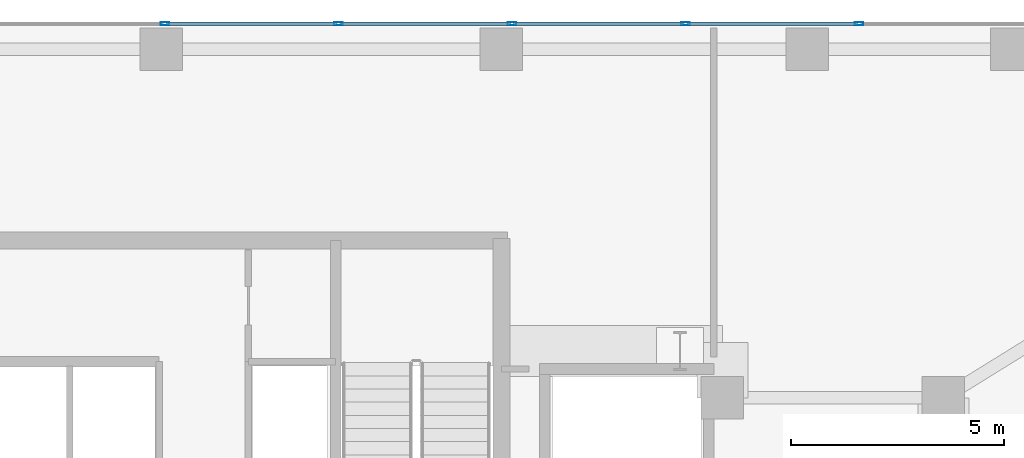
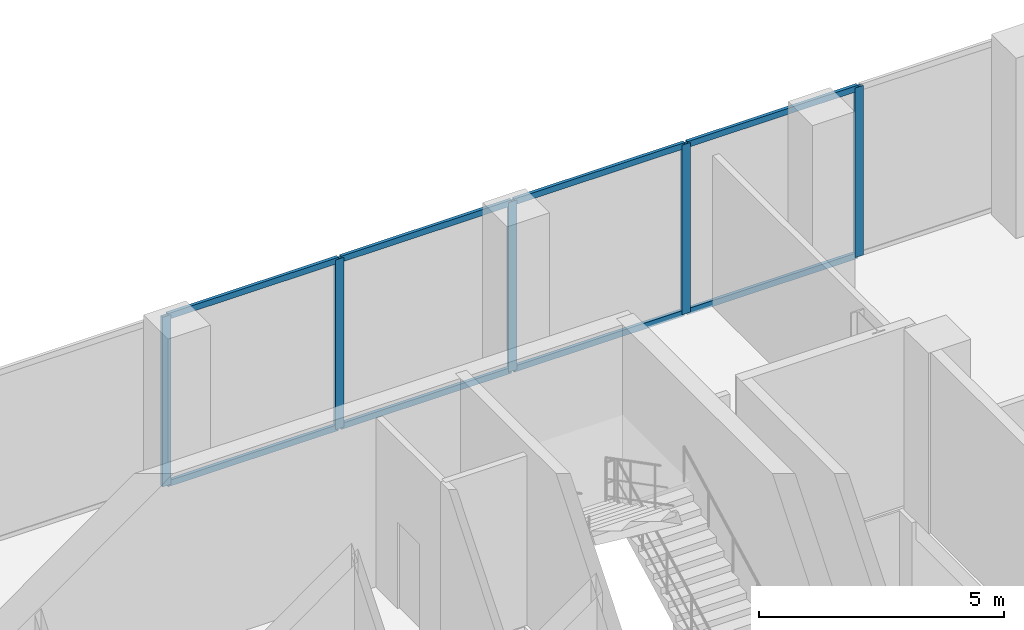
# One storey, part 19 of 24: 13 members, 1 element without a shape of its own.
"""IFC4 building model written with IfcOpenShell, lengths in metres."""

from ifc_helpers import new_model, si_unit, direction, frame, origin, origin_2d, place, context, subcontext, project, spatial, hollow_rectangle, extrude, material, layer, layer_set, material_profile, profile_set, type_object, element, aggregate, save


model = new_model("IFC4")

# Units and contexts
model_context = context("Model", 3, precision=1e-05, world=origin(), true_north=direction((0.0, 1.0)))
body_context = subcontext(model_context, "Body", "Model", "MODEL_VIEW")
ifc_project = project(units=[si_unit("LENGTHUNIT", "METRE"), si_unit("AREAUNIT", "SQUARE_METRE"), si_unit("VOLUMEUNIT", "CUBIC_METRE"), si_unit("PLANEANGLEUNIT", "RADIAN"), si_unit("MASSUNIT", "GRAM", prefix="KILO")], contexts=[model_context])

# Site, building, storey
site_placement = place(None, origin())
site = spatial("IfcSite", under=ifc_project, at=site_placement, CompositionType="ELEMENT")
building_placement = place(site_placement, origin())
building = spatial("IfcBuilding", under=site, at=building_placement, Name="Catumbela Crestline Tower", CompositionType="ELEMENT")
storey_placement = place(building_placement, frame((0.0, 0.0, 21.3)))
storey = spatial("IfcBuildingStorey", under=building, at=storey_placement, Name="L04", CompositionType="ELEMENT", Elevation=21.3)

# Curtain wall, members
ifc_material = material(Name="Aluminium alloy AW-6060-T66", Category="aluminium")
ifc_layer = layer(ifc_material, 0.18, Name="Aluminium alloy AW-6060-T66")
ifc_layer_set = layer_set([ifc_layer], Name="Aluminium alloy AW-6060-T66")
curtain_wall_type = type_object("IfcCurtainWallType", Name="CWS-POD", PredefinedType="USERDEFINED", material=ifc_layer_set)
curtain_wall_placement = place(storey_placement, origin())
curtain_wall = element("IfcCurtainWall", 1, at=curtain_wall_placement, inside=storey, type_object=curtain_wall_type, Name="L04 Stick Curtain Wall CW-L04-E7S1", ObjectType="STICK", PredefinedType="USERDEFINED")
ifc_material_profile_1 = material_profile(ifc_material, hollow_rectangle(XDim=0.075, YDim=0.2, WallThickness=0.005, at=origin_2d()), Name="ALU 200x75x5")
ifc_profile_set_1 = profile_set([ifc_material_profile_1], Name="Aluminium alloy AW-6060-T66")
member_type_1 = type_object("IfcMemberType", Name="MUL-200X75", PredefinedType="MULLION", material=ifc_profile_set_1)
member_1_placement = place(storey_placement, frame((48.4167, 48.0, 0.0), z_axis=(0.0, 0.0, 1.0), x_axis=(0.0, -1.0, 0.0)))
member_1 = element("IfcMember", 2, at=member_1_placement, type_object=member_type_1, Name="CWS-POD mullion 2", PredefinedType="MULLION", context=body_context, shape_type="SweptSolid", body=[
    extrude(hollow_rectangle(XDim=0.075, YDim=0.2, WallThickness=0.005, at=origin_2d()), origin(), (0.0, 0.0, 1.0), 4.23),
])
member_2_placement = place(storey_placement, frame((44.3333, 48.0, 0.0), z_axis=(0.0, 0.0, 1.0), x_axis=(0.0, -1.0, 0.0)))
member_2 = element("IfcMember", 3, at=member_2_placement, type_object=member_type_1, Name="CWS-POD mullion 3", PredefinedType="MULLION", context=body_context, shape_type="SweptSolid", body=[
    extrude(hollow_rectangle(XDim=0.075, YDim=0.2, WallThickness=0.005, at=origin_2d()), origin(), (0.0, 0.0, 1.0), 4.23),
])
member_3_placement = place(storey_placement, frame((40.25, 48.0, 0.0), z_axis=(0.0, 0.0, 1.0), x_axis=(0.0, -1.0, 0.0)))
member_3 = element("IfcMember", 4, at=member_3_placement, type_object=member_type_1, Name="CWS-POD mullion 4", PredefinedType="MULLION", context=body_context, shape_type="SweptSolid", body=[
    extrude(hollow_rectangle(XDim=0.075, YDim=0.2, WallThickness=0.005, at=origin_2d()), origin(), (0.0, 0.0, 1.0), 4.23),
])
member_4_placement = place(storey_placement, frame((36.1667, 48.0, 0.0), z_axis=(0.0, 0.0, 1.0), x_axis=(0.0, -1.0, 0.0)))
member_4 = element("IfcMember", 5, at=member_4_placement, type_object=member_type_1, Name="CWS-POD mullion 5", PredefinedType="MULLION", context=body_context, shape_type="SweptSolid", body=[
    extrude(hollow_rectangle(XDim=0.075, YDim=0.2, WallThickness=0.005, at=origin_2d()), origin(), (0.0, 0.0, 1.0), 4.23),
])
member_5_placement = place(storey_placement, frame((32.0833, 48.0, 0.0), z_axis=(0.0, 0.0, 1.0), x_axis=(0.0, -1.0, 0.0)))
member_5 = element("IfcMember", 6, at=member_5_placement, type_object=member_type_1, Name="CWS-POD mullion 6", PredefinedType="MULLION", context=body_context, shape_type="SweptSolid", body=[
    extrude(hollow_rectangle(XDim=0.075, YDim=0.2, WallThickness=0.005, at=origin_2d()), origin(), (0.0, 0.0, 1.0), 4.23),
])
ifc_material_profile_2 = material_profile(ifc_material, hollow_rectangle(XDim=0.075, YDim=0.15, WallThickness=0.0045, at=origin_2d()), Name="ALU 150x75x4.5")
ifc_profile_set_2 = profile_set([ifc_material_profile_2], Name="Aluminium alloy AW-6060-T66")
member_type_2 = type_object("IfcMemberType", Name="TRN-150X75", PredefinedType="USERDEFINED", material=ifc_profile_set_2)
member_6_placement = place(storey_placement, frame((48.3842, 48.0, 0.03), z_axis=(-1.0, 0.0, 0.0), x_axis=(0.0, -1.0, 0.0)))
member_6 = element("IfcMember", 7, at=member_6_placement, type_object=member_type_2, Name="CWS-POD transom 2.1", ObjectType="TRANSOM", PredefinedType="USERDEFINED", context=body_context, shape_type="SweptSolid", body=[
    extrude(hollow_rectangle(XDim=0.075, YDim=0.15, WallThickness=0.0045, at=origin_2d()), origin(), (0.0, 0.0, 1.0), 4.0184),
])
member_7_placement = place(storey_placement, frame((48.3842, 48.0, 4.2), z_axis=(-1.0, 0.0, 0.0), x_axis=(0.0, -1.0, 0.0)))
member_7 = element("IfcMember", 8, at=member_7_placement, type_object=member_type_2, Name="CWS-POD transom 2.2", ObjectType="TRANSOM", PredefinedType="USERDEFINED", context=body_context, shape_type="SweptSolid", body=[
    extrude(hollow_rectangle(XDim=0.075, YDim=0.15, WallThickness=0.0045, at=origin_2d()), origin(), (0.0, 0.0, 1.0), 4.0184),
])
member_8_placement = place(storey_placement, frame((44.3008, 48.0, 0.03), z_axis=(-1.0, 0.0, 0.0), x_axis=(0.0, -1.0, 0.0)))
member_8 = element("IfcMember", 9, at=member_8_placement, type_object=member_type_2, Name="CWS-POD transom 3.1", ObjectType="TRANSOM", PredefinedType="USERDEFINED", context=body_context, shape_type="SweptSolid", body=[
    extrude(hollow_rectangle(XDim=0.075, YDim=0.15, WallThickness=0.0045, at=origin_2d()), origin(), (0.0, 0.0, 1.0), 4.0183),
])
member_9_placement = place(storey_placement, frame((44.3008, 48.0, 4.2), z_axis=(-1.0, 0.0, 0.0), x_axis=(0.0, -1.0, 0.0)))
member_9 = element("IfcMember", 10, at=member_9_placement, type_object=member_type_2, Name="CWS-POD transom 3.2", ObjectType="TRANSOM", PredefinedType="USERDEFINED", context=body_context, shape_type="SweptSolid", body=[
    extrude(hollow_rectangle(XDim=0.075, YDim=0.15, WallThickness=0.0045, at=origin_2d()), origin(), (0.0, 0.0, 1.0), 4.0183),
])
member_10_placement = place(storey_placement, frame((40.2175, 48.0, 0.03), z_axis=(-1.0, 0.0, 0.0), x_axis=(0.0, -1.0, 0.0)))
member_10 = element("IfcMember", 11, at=member_10_placement, type_object=member_type_2, Name="CWS-POD transom 4.1", ObjectType="TRANSOM", PredefinedType="USERDEFINED", context=body_context, shape_type="SweptSolid", body=[
    extrude(hollow_rectangle(XDim=0.075, YDim=0.15, WallThickness=0.0045, at=origin_2d()), origin(), (0.0, 0.0, 1.0), 4.0183),
])
member_11_placement = place(storey_placement, frame((40.2175, 48.0, 4.2), z_axis=(-1.0, 0.0, 0.0), x_axis=(0.0, -1.0, 0.0)))
member_11 = element("IfcMember", 12, at=member_11_placement, type_object=member_type_2, Name="CWS-POD transom 4.2", ObjectType="TRANSOM", PredefinedType="USERDEFINED", context=body_context, shape_type="SweptSolid", body=[
    extrude(hollow_rectangle(XDim=0.075, YDim=0.15, WallThickness=0.0045, at=origin_2d()), origin(), (0.0, 0.0, 1.0), 4.0183),
])
member_12_placement = place(storey_placement, frame((36.1342, 48.0, 0.03), z_axis=(-1.0, 0.0, 0.0), x_axis=(0.0, -1.0, 0.0)))
member_12 = element("IfcMember", 13, at=member_12_placement, type_object=member_type_2, Name="CWS-POD transom 5.1", ObjectType="TRANSOM", PredefinedType="USERDEFINED", context=body_context, shape_type="SweptSolid", body=[
    extrude(hollow_rectangle(XDim=0.075, YDim=0.15, WallThickness=0.0045, at=origin_2d()), origin(), (0.0, 0.0, 1.0), 4.0184),
])
member_13_placement = place(storey_placement, frame((36.1342, 48.0, 4.2), z_axis=(-1.0, 0.0, 0.0), x_axis=(0.0, -1.0, 0.0)))
member_13 = element("IfcMember", 14, at=member_13_placement, type_object=member_type_2, Name="CWS-POD transom 5.2", ObjectType="TRANSOM", PredefinedType="USERDEFINED", context=body_context, shape_type="SweptSolid", body=[
    extrude(hollow_rectangle(XDim=0.075, YDim=0.15, WallThickness=0.0045, at=origin_2d()), origin(), (0.0, 0.0, 1.0), 4.0184),
])
aggregate(curtain_wall, [member_1, member_2, member_3, member_4, member_5, member_6, member_7, member_8, member_9, member_10, member_11, member_12, member_13])

save(model, "model.ifc")
